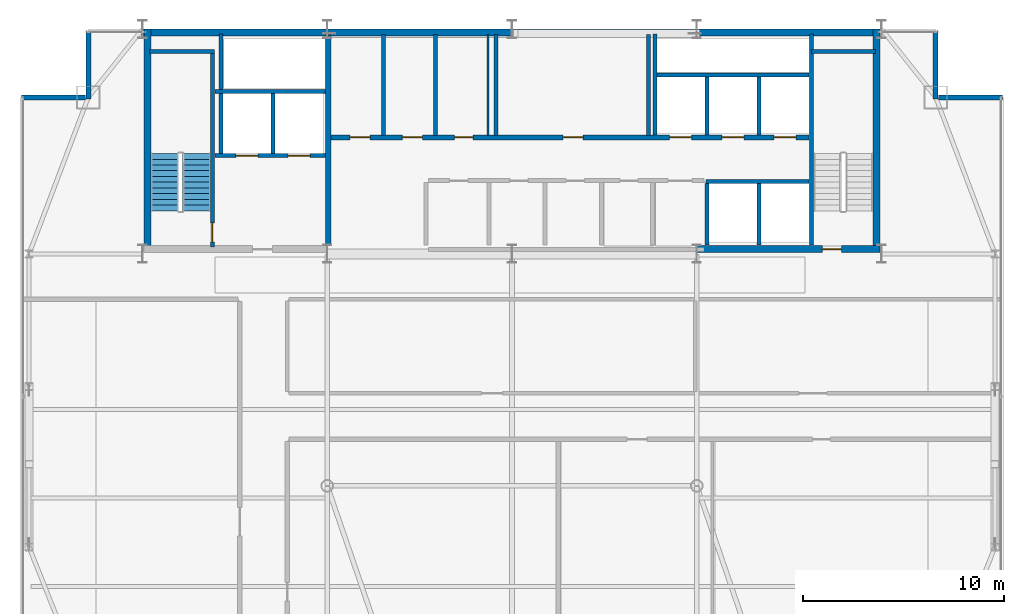
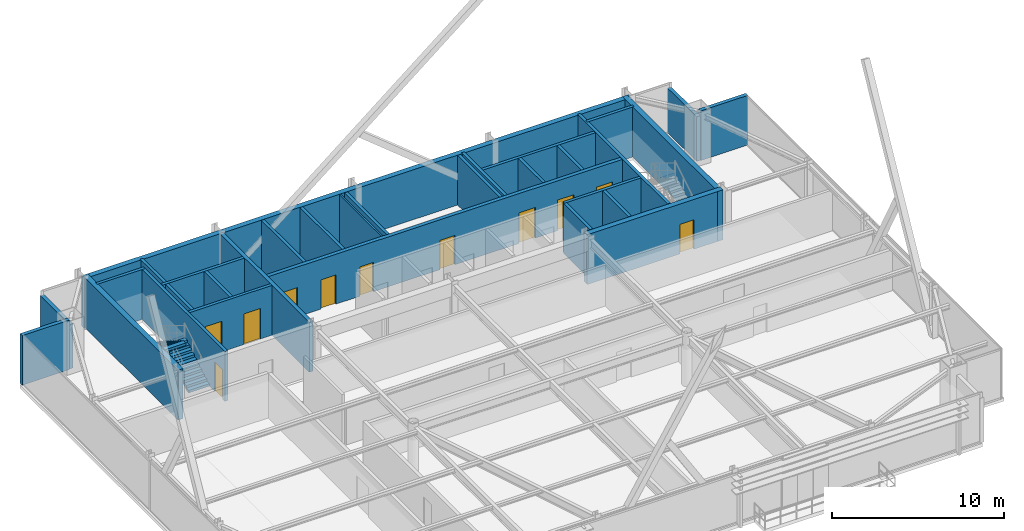
# One storey, part 28 of 31: 30 walls, 11 doors, 2 stair flights, 11 openings, 1 element without a shape of its own.
"""IFC4 building model written with IfcOpenShell, lengths in metres."""

import ifcopenshell
import ifcopenshell.guid

model = None  # the IFC model being written
_history = None  # IfcOwnerHistory: only IFC2X3 demands one
_inside = {}  # id of a spatial element -> (the spatial element, [elements in it])
_under = {}  # id of a project, library or spatial element -> (it, [spatial elements below it])
_declared = {}  # id of a project -> (the project, [libraries it declares])
_typed = {}  # id of a type object -> (the type object, [elements of that type])
_made_of = {}  # id of a material, layer set ... -> (it, [elements and type objects made of it])


def new_model(schema):
    """Start an empty IFC model of exactly this schema.

    Asked for "IFC4X3", IfcOpenShell would pick the latest addendum, in which some entities
    have other attributes; the version numbers below select the first issue.
    IFC2X3 requires an IfcOwnerHistory on every rooted entity: one is made here for all.
    """
    global model, _history
    if schema == "IFC4X3":
        model = ifcopenshell.file(schema_version=(4, 3, 0, 0))
    else:
        model = ifcopenshell.file(schema=schema)
    _inside.clear()
    _under.clear()
    _declared.clear()
    _typed.clear()
    _made_of.clear()
    _history = None
    if model.schema == "IFC2X3":
        org = make("IfcOrganization", Name="unknown")
        user = make(
            "IfcPersonAndOrganization",
            ThePerson=make("IfcPerson", FamilyName="unknown"),
            TheOrganization=org,
        )
        app = make(
            "IfcApplication",
            ApplicationDeveloper=org,
            Version="unknown",
            ApplicationFullName="unknown",
            ApplicationIdentifier="unknown",
        )
        _history = make(
            "IfcOwnerHistory",
            OwningUser=user,
            OwningApplication=app,
            ChangeAction="ADDED",
            CreationDate=0,
        )
    return model


def make(cls, **values):
    """One entity of the class cls with the attributes given. An attribute that is None is left unset."""
    return model.create_entity(
        cls, **{name: value for name, value in values.items() if value is not None}
    )


def rooted(cls, **values):
    """An entity with a GlobalId (a new one), such as an element, a storey or a relation."""
    return make(cls, GlobalId=ifcopenshell.guid.new(), OwnerHistory=_history, **values)


def si_unit(unit_type, name, prefix=None):
    """IfcSIUnit, for example si_unit("LENGTHUNIT", "METRE", prefix="MILLI")."""
    return make("IfcSIUnit", UnitType=unit_type, Prefix=prefix, Name=name)


def assignment(units):
    """IfcUnitAssignment: the units of a project."""
    return None if units is None else make("IfcUnitAssignment", Units=units)


def point(xyz):
    """IfcCartesianPoint."""
    return None if xyz is None else make("IfcCartesianPoint", Coordinates=xyz)


def direction(xyz):
    """IfcDirection."""
    return None if xyz is None else make("IfcDirection", DirectionRatios=xyz)


def frame(location, z_axis=None, x_axis=None):
    """IfcAxis2Placement3D, a coordinate frame: its origin and axes. An axis left out is left unset."""
    return make(
        "IfcAxis2Placement3D",
        Location=point(location),
        Axis=direction(z_axis),
        RefDirection=direction(x_axis),
    )


def frame_2d(location, x_axis=None):
    """IfcAxis2Placement2D, a coordinate frame in the plane: its origin and x axis."""
    return make(
        "IfcAxis2Placement2D", Location=point(location), RefDirection=direction(x_axis)
    )


def origin():
    """The frame at (0, 0, 0) with its axes left unset."""
    return frame((0.0, 0.0, 0.0))


def place(relative_to, where):
    """IfcLocalPlacement: puts the frame where relative to a parent placement (None: the world)."""
    return make(
        "IfcLocalPlacement", PlacementRelTo=relative_to, RelativePlacement=where
    )


def context(
    kind, dimensions, precision=None, world=None, true_north=None, identifier=None
):
    """IfcGeometricRepresentationContext, for example the 3D "Model" context."""
    return make(
        "IfcGeometricRepresentationContext",
        ContextIdentifier=identifier,
        ContextType=kind,
        CoordinateSpaceDimension=dimensions,
        Precision=precision,
        WorldCoordinateSystem=world,
        TrueNorth=true_north,
    )


def subcontext(parent, identifier, kind, view, scale=None):
    """IfcGeometricRepresentationSubContext, for example "Body" below "Model"."""
    return make(
        "IfcGeometricRepresentationSubContext",
        ContextIdentifier=identifier,
        ContextType=kind,
        ParentContext=parent,
        TargetScale=scale,
        TargetView=view,
    )


def project(units=None, contexts=None):
    """IfcProject with its units and contexts."""
    return rooted(
        "IfcProject",
        Name="project",
        RepresentationContexts=contexts,
        UnitsInContext=assignment(units),
    )


def spatial(cls, under=None, at=None, **own):
    """A site, building, storey or space (cls), placed at a placement, below another one or the project."""
    s = rooted(cls, ObjectPlacement=at, **own)
    if under is not None:
        _under.setdefault(under.id(), (under, []))[1].append(s)
    return s


def polyline(points):
    """IfcPolyline through the points."""
    return make("IfcPolyline", Points=[point(p) for p in points])


def profile(cls, at=None, kind="AREA", **sizes):
    """A parametric profile (cls). Its sizes go by their IFC names, for example OverallWidth=200.0."""
    return make(cls, ProfileType=kind, Position=at, **sizes)


def rectangle(**sizes):
    """IfcRectangleProfileDef."""
    return profile("IfcRectangleProfileDef", **sizes)


def outline(outer, holes=None, kind="AREA"):
    """IfcArbitraryClosedProfileDef: a profile drawn as a closed curve; with holes, ...WithVoids."""
    if holes is None:
        return make("IfcArbitraryClosedProfileDef", ProfileType=kind, OuterCurve=outer)
    return make(
        "IfcArbitraryProfileDefWithVoids",
        ProfileType=kind,
        OuterCurve=outer,
        InnerCurves=holes,
    )


def extrude(swept, where, along, depth):
    """IfcExtrudedAreaSolid: the profile swept, set in the frame where, extruded along a direction by depth."""
    return make(
        "IfcExtrudedAreaSolid",
        SweptArea=swept,
        Position=where,
        ExtrudedDirection=direction(along),
        Depth=depth,
    )


def shape(context_of_items, identifier, shape_type, items):
    """IfcShapeRepresentation: the items that make up one representation, for example the "Body"."""
    return make(
        "IfcShapeRepresentation",
        ContextOfItems=context_of_items,
        RepresentationIdentifier=identifier,
        RepresentationType=shape_type,
        Items=items,
    )


def source(mapping_origin, context_of_items, identifier, shape_type, items):
    """IfcRepresentationMap: a shape defined once, which mapped items show again and again."""
    return make(
        "IfcRepresentationMap",
        MappingOrigin=mapping_origin,
        MappedRepresentation=shape(context_of_items, identifier, shape_type, items),
    )


def transform(
    local_origin,
    x_axis=None,
    y_axis=None,
    z_axis=None,
    scale=None,
    scale2=None,
    scale3=None,
    uniform=True,
):
    """IfcCartesianTransformationOperator3D, or its non-uniform kind. x_axis, y_axis, z_axis: its Axis1, 2, 3."""
    if uniform:
        return make(
            "IfcCartesianTransformationOperator3D",
            Axis1=direction(x_axis),
            Axis2=direction(y_axis),
            LocalOrigin=point(local_origin),
            Scale=scale,
            Axis3=direction(z_axis),
        )
    return make(
        "IfcCartesianTransformationOperator3DnonUniform",
        Axis1=direction(x_axis),
        Axis2=direction(y_axis),
        LocalOrigin=point(local_origin),
        Scale=scale,
        Axis3=direction(z_axis),
        Scale2=scale2,
        Scale3=scale3,
    )


def mapped(mapping_source, mapping_target):
    """IfcMappedItem: shows the shape of a source again, moved by a transform."""
    return make(
        "IfcMappedItem", MappingSource=mapping_source, MappingTarget=mapping_target
    )


def material(Name=None, Category=None):
    """IfcMaterial."""
    return make("IfcMaterial", Name=Name, Category=Category)


def layer(
    of_material, thickness, ventilated=None, Name=None, Category=None, Priority=None
):
    """IfcMaterialLayer: one layer of a wall or slab, of a material (None: an air gap)."""
    return make(
        "IfcMaterialLayer",
        Material=of_material,
        LayerThickness=thickness,
        IsVentilated=ventilated,
        Name=Name,
        Category=Category,
        Priority=Priority,
    )


def layer_set(layers, Name=None):
    """IfcMaterialLayerSet."""
    return make("IfcMaterialLayerSet", MaterialLayers=layers, LayerSetName=Name)


def made_of(thing, what):
    """Note that an element or type object is made of a material, layer set ...; save() writes the relation."""
    if what is not None:
        _made_of.setdefault(what.id(), (what, []))[1].append(thing)
    return thing


def type_object(cls, material=None, **own):
    """A type object (cls), such as IfcWallType, which elements share."""
    return made_of(rooted(cls, **own), material)


def type_shapes(of_type, sources):
    """Give a type object the sources (RepresentationMaps) that its elements show as mapped items."""
    of_type.RepresentationMaps = sources


def element(
    cls,
    number,
    at=None,
    inside=None,
    cuts=None,
    type_object=None,
    material=None,
    context=None,
    identifier="Body",
    shape_type=None,
    held_by="IfcProductDefinitionShape",
    body=None,
    shapes=None,
    **own,
):
    """One element of the class cls, such as IfcWall. Its Tag is "e" and its number.

    at: its placement. inside: the storey or other place that contains it. cuts: it is an
    opening in that element (IfcRelVoidsElement). A single representation is given by context,
    identifier, shape_type and body (its items); several are given by shapes. held_by: the class
    of the entity that holds the representations. save() writes the other relations.
    """
    e = rooted(cls, Tag="e%d" % number, ObjectPlacement=at, **own)
    if body is not None:
        shapes = [shape(context, identifier, shape_type, body)]
    if shapes is not None:
        e.Representation = make(held_by, Representations=shapes)
    if inside is not None:
        _inside.setdefault(inside.id(), (inside, []))[1].append(e)
    if cuts is not None:
        rooted(
            "IfcRelVoidsElement", RelatingBuildingElement=cuts, RelatedOpeningElement=e
        )
    if type_object is not None:
        _typed.setdefault(type_object.id(), (type_object, []))[1].append(e)
    return made_of(e, material)


def fill(opening, filler):
    """IfcRelFillsElement: the door or window that sits in an opening."""
    return rooted(
        "IfcRelFillsElement",
        RelatingOpeningElement=opening,
        RelatedBuildingElement=filler,
    )


def aggregate(whole, parts):
    """IfcRelAggregates: a whole, such as a stair, and the parts it consists of."""
    return rooted("IfcRelAggregates", RelatingObject=whole, RelatedObjects=parts)


def save(model, path):
    """Write the relations noted so far, then the file.

    IfcRelAggregates (storeys below a building ...), IfcRelContainedInSpatialStructure (elements
    in a storey), IfcRelDefinesByType, IfcRelAssociatesMaterial and IfcRelDeclares: one each for
    every whole, place, type object, material and project.
    """
    for whole, parts in _under.values():
        aggregate(whole, parts)
    for where, things in _inside.values():
        rooted(
            "IfcRelContainedInSpatialStructure",
            RelatedElements=things,
            RelatingStructure=where,
        )
    for kind, things in _typed.values():
        rooted("IfcRelDefinesByType", RelatedObjects=things, RelatingType=kind)
    for what, things in _made_of.values():
        rooted("IfcRelAssociatesMaterial", RelatedObjects=things, RelatingMaterial=what)
    for by, libraries in _declared.values():
        rooted("IfcRelDeclares", RelatingContext=by, RelatedDefinitions=libraries)
    model.write(path)


model = new_model("IFC4")

# Units and contexts
model_context = context("Model", 3, precision=1e-05, world=origin(), true_north=direction((0.0, 1.0)))
body_context = subcontext(model_context, "Body", "Model", "MODEL_VIEW")
ifc_project = project(units=[si_unit("LENGTHUNIT", "METRE"), si_unit("AREAUNIT", "SQUARE_METRE"), si_unit("VOLUMEUNIT", "CUBIC_METRE"), si_unit("PLANEANGLEUNIT", "RADIAN"), si_unit("MASSUNIT", "GRAM", prefix="KILO")], contexts=[model_context])

# Site, building, storey
site_placement = place(None, origin())
site = spatial("IfcSite", under=ifc_project, at=site_placement, CompositionType="ELEMENT")
building_placement = place(site_placement, origin())
building = spatial("IfcBuilding", under=site, at=building_placement, Name="Varnel Quay Broadcast Tower", CompositionType="ELEMENT")
storey_placement = place(building_placement, frame((0.0, 0.0, 239.39990234375)))
storey = spatial("IfcBuildingStorey", under=building, at=storey_placement, Name="L59", CompositionType="ELEMENT", Elevation=239.39990234375)

# Wall, opening, door
ifc_material_1 = material(Name="Concrete CSA A23.3 C50/60", Category="concrete")
ifc_layer_1 = layer(ifc_material_1, 0.199951171875, Name="Concrete CSA A23.3 C50/60")
ifc_layer_set_1 = layer_set([ifc_layer_1], Name="Concrete CSA A23.3 C50/60")
wall_type_1 = type_object("IfcWallType", Name="Wall_CoreShaftShear200", PredefinedType="SHEAR", material=ifc_layer_set_1)
wall_1_placement = place(storey_placement, frame((19.080078125, 35.949951171875, 0.0), z_axis=(0.0, 0.0, 1.0), x_axis=(0.0, 1.0, 0.0)))
wall_1 = element("IfcWall", 1, at=wall_1_placement, inside=storey, type_object=wall_type_1, Name="L59 Stair 1 East Structural Wall", PredefinedType="SHEAR", context=body_context, shape_type="SweptSolid", body=[
    extrude(rectangle(XDim=9.650146484375, YDim=0.199951171875, at=frame_2d((4.8251953125, 0.0))), origin(), (0.0, 0.0, 1.0), 3.550048828125),
])
opening_1_placement = place(wall_1_placement, frame((0.25, 0.0, 0.0)))
opening_1 = element("IfcOpeningElement", 2, at=opening_1_placement, cuts=wall_1, Name="Opening D-L59-S1", PredefinedType="OPENING", context=body_context, shape_type="SweptSolid", body=[
    extrude(rectangle(XDim=0.949951171875, YDim=2.10009765625, at=frame_2d((0.47509765625, 1.050048828125))), frame((0.0, 0.10986328125, 0.0), z_axis=(0.0, -1.0, 0.0), x_axis=(1.0, 0.0, 0.0)), (0.0, 0.0, 1.0), 0.219970703125),
])
ifc_material_2 = material(Name="Insulated Fire-Rated Hollow Steel Door", Category="steel")
door_type_1 = type_object("IfcDoorType", Name="Door_FireStair950", OperationType="NOTDEFINED", PredefinedType="DOOR", material=ifc_material_2)
shared_shape_1 = source(origin(), body_context, "Body", "SweptSolid", [
    extrude(rectangle(XDim=0.949951171875, YDim=2.10009765625, at=frame_2d((0.47509765625, 1.050048828125))), frame((0.0, 0.02490234375, 0.0), z_axis=(0.0, -1.0, 0.0), x_axis=(1.0, 0.0, 0.0)), (0.0, 0.0, 1.0), 0.050048828125),
])
type_shapes(door_type_1, [shared_shape_1])
door_1_placement = place(opening_1_placement, origin())
door_1 = element("IfcDoor", 3, at=door_1_placement, inside=storey, type_object=door_type_1, Name="L59 Stair 1 Fire Door", OperationType="SINGLE_SWING_RIGHT", OverallHeight=2.10009765625, OverallWidth=0.949951171875, PredefinedType="DOOR", context=body_context, shape_type="MappedRepresentation", body=[
    mapped(shared_shape_1, transform((0.0, 0.0, 0.0), x_axis=(1.0, 0.0, 0.0), y_axis=(0.0, 1.0, 0.0), z_axis=(0.0, 0.0, 1.0), scale=1.0)),
])
fill(opening_1, door_1)

# Wall
wall_2_placement = place(storey_placement, frame((15.949951171875, 45.679931640625, 0.0), z_axis=(0.0, 0.0, 1.0), x_axis=(1.0, 0.0, 0.0)))
element("IfcWall", 4, at=wall_2_placement, inside=storey, type_object=wall_type_1, Name="L59 Stair 1 North Structural Wall", PredefinedType="SHEAR", context=body_context, shape_type="SweptSolid", body=[
    extrude(rectangle(XDim=3.22998046875, YDim=0.199951171875, at=frame_2d((1.614990234375, 0.0))), origin(), (0.0, 0.0, 1.0), 3.550048828125),
])

# Wall, openings, doors
wall_3_placement = place(storey_placement, frame((19.199951171875, 40.5, 0.0), z_axis=(0.0, 0.0, 1.0), x_axis=(1.0, 0.0, 0.0)))
wall_3 = element("IfcWall", 5, at=wall_3_placement, inside=storey, type_object=wall_type_1, Name="L59 Firefighter Lift Shaft Front Wall", PredefinedType="SHEAR", context=body_context, shape_type="SweptSolid", body=[
    extrude(rectangle(XDim=5.52001953125, YDim=0.199951171875, at=frame_2d((2.760009765625, 0.0))), origin(), (0.0, 0.0, 1.0), 3.550048828125),
])
opening_2_placement = place(wall_3_placement, frame((1.050048828125, 0.0, 0.0)))
opening_2 = element("IfcOpeningElement", 6, at=opening_2_placement, cuts=wall_3, Name="Opening LD-L59-FE1", PredefinedType="OPENING", context=body_context, shape_type="SweptSolid", body=[
    extrude(rectangle(XDim=1.10009765625, YDim=2.179931640625, at=frame_2d((0.550048828125, 1.08984375))), frame((0.0, 0.10986328125, 0.0), z_axis=(0.0, -1.0, 0.0), x_axis=(1.0, 0.0, 0.0)), (0.0, 0.0, 1.0), 0.219970703125),
])
opening_3_placement = place(wall_3_placement, frame((3.64990234375, 0.0, 0.0)))
opening_3 = element("IfcOpeningElement", 7, at=opening_3_placement, cuts=wall_3, Name="Opening LD-L59-FE2", PredefinedType="OPENING", context=body_context, shape_type="SweptSolid", body=[
    extrude(rectangle(XDim=1.10009765625, YDim=2.179931640625, at=frame_2d((0.550048828125, 1.08984375))), frame((0.0, 0.10986328125, 0.0), z_axis=(0.0, -1.0, 0.0), x_axis=(1.0, 0.0, 0.0)), (0.0, 0.0, 1.0), 0.219970703125),
])
ifc_material_3 = material(Name="Brushed Bronze-Stainless Lift Car & Sliding Doors", Category="steel")
door_type_2 = type_object("IfcDoorType", Name="Door_LiftLanding1100", OperationType="SLIDING_TO_LEFT", PredefinedType="DOOR", material=ifc_material_3)
shared_shape_2 = source(origin(), body_context, "Body", "SweptSolid", [
    extrude(rectangle(XDim=1.10009765625, YDim=2.179931640625, at=frame_2d((0.550048828125, 1.08984375))), frame((0.0, 0.02490234375, 0.0), z_axis=(0.0, -1.0, 0.0), x_axis=(1.0, 0.0, 0.0)), (0.0, 0.0, 1.0), 0.050048828125),
])
type_shapes(door_type_2, [shared_shape_2])
door_2_placement = place(opening_2_placement, frame((1.10009765625, 0.0, 0.0), z_axis=(0.0, 0.0, 1.0), x_axis=(-1.0, 0.0, 0.0)))
door_2 = element("IfcDoor", 8, at=door_2_placement, inside=storey, type_object=door_type_2, Name="L59 Firefighter Lift FE-01 Landing Door", OperationType="SLIDING_TO_LEFT", OverallHeight=2.179931640625, OverallWidth=1.10009765625, PredefinedType="DOOR", context=body_context, shape_type="MappedRepresentation", body=[
    mapped(shared_shape_2, transform((0.0, 0.0, 0.0), x_axis=(1.0, 0.0, 0.0), y_axis=(0.0, 1.0, 0.0), z_axis=(0.0, 0.0, 1.0), scale=1.0)),
])
fill(opening_2, door_2)
door_3_placement = place(opening_3_placement, frame((1.10009765625, 0.0, 0.0), z_axis=(0.0, 0.0, 1.0), x_axis=(-1.0, 0.0, 0.0)))
door_3 = element("IfcDoor", 9, at=door_3_placement, inside=storey, type_object=door_type_2, Name="L59 Firefighter Lift FE-02 Landing Door", OperationType="SLIDING_TO_RIGHT", OverallHeight=2.179931640625, OverallWidth=1.10009765625, PredefinedType="DOOR", context=body_context, shape_type="MappedRepresentation", body=[
    mapped(shared_shape_2, transform((0.0, 0.0, 0.0), x_axis=(1.0, 0.0, 0.0), y_axis=(0.0, 1.0, 0.0), z_axis=(0.0, 0.0, 1.0), scale=1.0)),
])
fill(opening_3, door_3)

# Walls
wall_4_placement = place(storey_placement, frame((19.199951171875, 43.699951171875, 0.0), z_axis=(0.0, 0.0, 1.0), x_axis=(1.0, 0.0, 0.0)))
element("IfcWall", 10, at=wall_4_placement, inside=storey, type_object=wall_type_1, Name="L59 Firefighter Lift Shaft Rear Wall", PredefinedType="SHEAR", context=body_context, shape_type="SweptSolid", body=[
    extrude(rectangle(XDim=5.52001953125, YDim=0.199951171875, at=frame_2d((2.760009765625, 0.0))), origin(), (0.0, 0.0, 1.0), 3.550048828125),
])
wall_5_placement = place(storey_placement, frame((22.10009765625, 40.60009765625, 0.0), z_axis=(0.0, 0.0, 1.0), x_axis=(0.0, 1.0, 0.0)))
element("IfcWall", 11, at=wall_5_placement, inside=storey, type_object=wall_type_1, Name="L59 Firefighter Lift Shaft Divider", PredefinedType="SHEAR", context=body_context, shape_type="SweptSolid", body=[
    extrude(rectangle(XDim=3.0, YDim=0.199951171875, at=frame_2d((1.5, 0.0))), origin(), (0.0, 0.0, 1.0), 3.550048828125),
])
wall_6_placement = place(storey_placement, frame((19.5, 40.60009765625, 0.0), z_axis=(0.0, 0.0, 1.0), x_axis=(0.0, 1.0, 0.0)))
element("IfcWall", 12, at=wall_6_placement, inside=storey, type_object=wall_type_1, Name="L59 Firefighter Lift Shaft West Wall", PredefinedType="SHEAR", context=body_context, shape_type="SweptSolid", body=[
    extrude(rectangle(XDim=5.949951171875, YDim=0.199951171875, at=frame_2d((2.97509765625, 0.0))), origin(), (0.0, 0.0, 1.0), 3.550048828125),
])
wall_7_placement = place(storey_placement, frame((48.919921875, 36.050048828125, 0.0), z_axis=(0.0, 0.0, 1.0), x_axis=(0.0, 1.0, 0.0)))
element("IfcWall", 13, at=wall_7_placement, inside=storey, type_object=wall_type_1, Name="L59 Stair 2 West Structural Wall", PredefinedType="SHEAR", context=body_context, shape_type="SweptSolid", body=[
    extrude(rectangle(XDim=10.5, YDim=0.199951171875, at=frame_2d((5.25, 0.0))), origin(), (0.0, 0.0, 1.0), 3.550048828125),
])
wall_8_placement = place(storey_placement, frame((48.919921875, 45.679931640625, 0.0), z_axis=(0.0, 0.0, 1.0), x_axis=(1.0, 0.0, 0.0)))
element("IfcWall", 14, at=wall_8_placement, inside=storey, type_object=wall_type_1, Name="L59 Stair 2 North Structural Wall", PredefinedType="SHEAR", context=body_context, shape_type="SweptSolid", body=[
    extrude(rectangle(XDim=3.18017578125, YDim=0.199951171875, at=frame_2d((1.590087890625, 0.0))), origin(), (0.0, 0.0, 1.0), 3.550048828125),
])
wall_9_placement = place(storey_placement, frame((41.219970703125, 44.5, 0.0), z_axis=(0.0, 0.0, 1.0), x_axis=(1.0, 0.0, 0.0)))
element("IfcWall", 15, at=wall_9_placement, inside=storey, type_object=wall_type_1, Name="L59 High-Rise Lift Shaft Rear Wall", PredefinedType="SHEAR", context=body_context, shape_type="SweptSolid", body=[
    extrude(rectangle(XDim=7.580078125, YDim=0.199951171875, at=frame_2d((3.7900390625, 0.0))), origin(), (0.0, 0.0, 1.0), 3.550048828125),
])
wall_10_placement = place(storey_placement, frame((41.1201171875, 41.530029296875, 0.0), z_axis=(0.0, 0.0, 1.0), x_axis=(0.0, 1.0, 0.0)))
element("IfcWall", 16, at=wall_10_placement, inside=storey, type_object=wall_type_1, Name="L59 High-Rise Lift Shaft Divider 1", PredefinedType="SHEAR", context=body_context, shape_type="SweptSolid", body=[
    extrude(rectangle(XDim=5.02001953125, YDim=0.199951171875, at=frame_2d((2.510009765625, 0.0))), origin(), (0.0, 0.0, 1.0), 3.550048828125),
])
for number, where, z_axis, x_axis, name in (
    (17, (43.699951171875, 41.530029296875, 0.0), (0.0, 0.0, 1.0), (0.0, 1.0, 0.0), "L59 High-Rise Lift Shaft Divider 2"),
    (18, (46.300048828125, 41.530029296875, 0.0), (0.0, 0.0, 1.0), (0.0, 1.0, 0.0), "L59 High-Rise Lift Shaft Divider 3"),
):
    element("IfcWall", number, at=place(storey_placement, frame(where, z_axis=z_axis, x_axis=x_axis)), inside=storey, type_object=wall_type_1, Name=name, PredefinedType="SHEAR", context=body_context, shape_type="SweptSolid", body=[
        extrude(rectangle(XDim=2.869873046875, YDim=0.199951171875, at=frame_2d((1.43505859375, 0.0))), origin(), (0.0, 0.0, 1.0), 3.550048828125),
    ])
for number, where, z_axis, x_axis, name in (
    (19, (43.699951171875, 36.050048828125, 0.0), (0.0, 0.0, 1.0), (0.0, 1.0, 0.0), "L59 Express Lift Shaft West Wall"),
    (20, (46.300048828125, 36.050048828125, 0.0), (0.0, 0.0, 1.0), (0.0, 1.0, 0.0), "L59 Express Lift Shaft Divider"),
):
    element("IfcWall", number, at=place(storey_placement, frame(where, z_axis=z_axis, x_axis=x_axis)), inside=storey, type_object=wall_type_1, Name=name, PredefinedType="SHEAR", context=body_context, shape_type="SweptSolid", body=[
        extrude(rectangle(XDim=3.050048828125, YDim=0.199951171875, at=frame_2d((1.52490234375, 0.0))), origin(), (0.0, 0.0, 1.0), 3.550048828125),
    ])
wall_11_placement = place(storey_placement, frame((43.64990234375, 39.199951171875, 0.0), z_axis=(0.0, 0.0, 1.0), x_axis=(1.0, 0.0, 0.0)))
element("IfcWall", 21, at=wall_11_placement, inside=storey, type_object=wall_type_1, Name="L59 Express Lift Shaft North Front Wall", PredefinedType="SHEAR", context=body_context, shape_type="SweptSolid", body=[
    extrude(rectangle(XDim=5.150146484375, YDim=0.199951171875, at=frame_2d((2.5751953125, 0.0))), origin(), (0.0, 0.0, 1.0), 3.550048828125),
])
ifc_layer_2 = layer(ifc_material_1, 0.25, Name="Concrete CSA A23.3 C50/60")
ifc_layer_set_2 = layer_set([ifc_layer_2], Name="Concrete CSA A23.3 C50/60")
wall_type_2 = type_object("IfcWallType", Name="Wall_CoreShaftShear250", PredefinedType="SHEAR", material=ifc_layer_set_2)
wall_12_placement = place(storey_placement, frame((24.85009765625, 36.050048828125, 0.0), z_axis=(0.0, 0.0, 1.0), x_axis=(0.0, 1.0, 0.0)))
element("IfcWall", 22, at=wall_12_placement, inside=storey, type_object=wall_type_2, Name="L59 Firefighting Lobby East Structural Wall", PredefinedType="SHEAR", context=body_context, shape_type="SweptSolid", body=[
    extrude(rectangle(XDim=10.449951171875, YDim=0.25, at=frame_2d((5.22509765625, 0.0))), origin(), (0.0, 0.0, 1.0), 3.550048828125),
])

# Wall, openings, doors
wall_13_placement = place(storey_placement, frame((24.97998046875, 41.39990234375, 0.0), z_axis=(0.0, 0.0, 1.0), x_axis=(1.0, 0.0, 0.0)))
wall_13 = element("IfcWall", 23, at=wall_13_placement, inside=storey, type_object=wall_type_2, Name="L59 North Lift Bank & Reclaimed Suite Wall", PredefinedType="SHEAR", context=body_context, shape_type="SweptSolid", body=[
    extrude(rectangle(XDim=23.820068359375, YDim=0.25, at=frame_2d((11.91015625, 0.0))), origin(), (0.0, 0.0, 1.0), 3.550048828125),
])
opening_4_placement = place(wall_13_placement, frame((16.8701171875, 0.0, 0.0)))
opening_4 = element("IfcOpeningElement", 24, at=opening_4_placement, cuts=wall_13, Name="Opening LD-L59-PH-01", PredefinedType="OPENING", context=body_context, shape_type="SweptSolid", body=[
    extrude(rectangle(XDim=1.10009765625, YDim=2.179931640625, at=frame_2d((0.550048828125, 1.08984375))), frame((0.0, 0.135009765625, 0.0), z_axis=(0.0, -1.0, 0.0), x_axis=(1.0, 0.0, 0.0)), (0.0, 0.0, 1.0), 0.27001953125),
])
opening_5_placement = place(wall_13_placement, frame((19.469970703125, 0.0, 0.0)))
opening_5 = element("IfcOpeningElement", 25, at=opening_5_placement, cuts=wall_13, Name="Opening LD-L59-PH-02", PredefinedType="OPENING", context=body_context, shape_type="SweptSolid", body=[
    extrude(rectangle(XDim=1.10009765625, YDim=2.179931640625, at=frame_2d((0.550048828125, 1.08984375))), frame((0.0, 0.135009765625, 0.0), z_axis=(0.0, -1.0, 0.0), x_axis=(1.0, 0.0, 0.0)), (0.0, 0.0, 1.0), 0.27001953125),
])
opening_6_placement = place(wall_13_placement, frame((22.070068359375, 0.0, 0.0)))
opening_6 = element("IfcOpeningElement", 26, at=opening_6_placement, cuts=wall_13, Name="Opening LD-L59-PH-03", PredefinedType="OPENING", context=body_context, shape_type="SweptSolid", body=[
    extrude(rectangle(XDim=1.10009765625, YDim=2.179931640625, at=frame_2d((0.550048828125, 1.08984375))), frame((0.0, 0.135009765625, 0.0), z_axis=(0.0, -1.0, 0.0), x_axis=(1.0, 0.0, 0.0)), (0.0, 0.0, 1.0), 0.27001953125),
])
opening_7_placement = place(wall_13_placement, frame((0.9599609375, 0.0, 0.0)))
opening_7 = element("IfcOpeningElement", 27, at=opening_7_placement, cuts=wall_13, Name="Opening D-L59-RECA1", PredefinedType="OPENING", context=body_context, shape_type="SweptSolid", body=[
    extrude(rectangle(XDim=1.0, YDim=2.080078125, at=frame_2d((0.5, 1.0400390625))), frame((0.0, 0.135009765625, 0.0), z_axis=(0.0, -1.0, 0.0), x_axis=(1.0, 0.0, 0.0)), (0.0, 0.0, 1.0), 0.27001953125),
])
opening_8_placement = place(wall_13_placement, frame((3.56005859375, 0.0, 0.0)))
opening_8 = element("IfcOpeningElement", 28, at=opening_8_placement, cuts=wall_13, Name="Opening D-L59-RECA2", PredefinedType="OPENING", context=body_context, shape_type="SweptSolid", body=[
    extrude(rectangle(XDim=1.0, YDim=2.080078125, at=frame_2d((0.5, 1.0400390625))), frame((0.0, 0.135009765625, 0.0), z_axis=(0.0, -1.0, 0.0), x_axis=(1.0, 0.0, 0.0)), (0.0, 0.0, 1.0), 0.27001953125),
])
opening_9_placement = place(wall_13_placement, frame((6.159912109375, 0.0, 0.0)))
opening_9 = element("IfcOpeningElement", 29, at=opening_9_placement, cuts=wall_13, Name="Opening D-L59-RECA3", PredefinedType="OPENING", context=body_context, shape_type="SweptSolid", body=[
    extrude(rectangle(XDim=0.919921875, YDim=2.080078125, at=frame_2d((0.4599609375, 1.0400390625))), frame((0.0, 0.135009765625, 0.0), z_axis=(0.0, -1.0, 0.0), x_axis=(1.0, 0.0, 0.0)), (0.0, 0.0, 1.0), 0.27001953125),
])
opening_10_placement = place(wall_13_placement, frame((11.56005859375, 0.0, 0.0)))
opening_10 = element("IfcOpeningElement", 30, at=opening_10_placement, cuts=wall_13, Name="Opening D-L59-RECB1", PredefinedType="OPENING", context=body_context, shape_type="SweptSolid", body=[
    extrude(rectangle(XDim=1.0, YDim=2.080078125, at=frame_2d((0.5, 1.0400390625))), frame((0.0, 0.135009765625, 0.0), z_axis=(0.0, -1.0, 0.0), x_axis=(1.0, 0.0, 0.0)), (0.0, 0.0, 1.0), 0.27001953125),
])
door_4_placement = place(opening_4_placement, frame((1.10009765625, 0.0, 0.0), z_axis=(0.0, 0.0, 1.0), x_axis=(-1.0, 0.0, 0.0)))
door_4 = element("IfcDoor", 31, at=door_4_placement, inside=storey, type_object=door_type_2, Name="L59 Lift PH-01 Landing Door", OperationType="SLIDING_TO_LEFT", OverallHeight=2.179931640625, OverallWidth=1.10009765625, PredefinedType="DOOR", context=body_context, shape_type="MappedRepresentation", body=[
    mapped(shared_shape_2, transform((0.0, 0.0, 0.0), x_axis=(1.0, 0.0, 0.0), y_axis=(0.0, 1.0, 0.0), z_axis=(0.0, 0.0, 1.0), scale=1.0)),
])
fill(opening_4, door_4)
door_5_placement = place(opening_5_placement, frame((1.10009765625, 0.0, 0.0), z_axis=(0.0, 0.0, 1.0), x_axis=(-1.0, 0.0, 0.0)))
door_5 = element("IfcDoor", 32, at=door_5_placement, inside=storey, type_object=door_type_2, Name="L59 Lift PH-02 Landing Door", OperationType="SLIDING_TO_LEFT", OverallHeight=2.179931640625, OverallWidth=1.10009765625, PredefinedType="DOOR", context=body_context, shape_type="MappedRepresentation", body=[
    mapped(shared_shape_2, transform((0.0, 0.0, 0.0), x_axis=(1.0, 0.0, 0.0), y_axis=(0.0, 1.0, 0.0), z_axis=(0.0, 0.0, 1.0), scale=1.0)),
])
fill(opening_5, door_5)
door_6_placement = place(opening_6_placement, frame((1.10009765625, 0.0, 0.0), z_axis=(0.0, 0.0, 1.0), x_axis=(-1.0, 0.0, 0.0)))
door_6 = element("IfcDoor", 33, at=door_6_placement, inside=storey, type_object=door_type_2, Name="L59 Lift PH-03 Landing Door", OperationType="SLIDING_TO_LEFT", OverallHeight=2.179931640625, OverallWidth=1.10009765625, PredefinedType="DOOR", context=body_context, shape_type="MappedRepresentation", body=[
    mapped(shared_shape_2, transform((0.0, 0.0, 0.0), x_axis=(1.0, 0.0, 0.0), y_axis=(0.0, 1.0, 0.0), z_axis=(0.0, 0.0, 1.0), scale=1.0)),
])
fill(opening_6, door_6)
door_type_3 = type_object("IfcDoorType", Name="Door_FireLobby1000", OperationType="NOTDEFINED", PredefinedType="DOOR", material=ifc_material_2)
shared_shape_3 = source(origin(), body_context, "Body", "SweptSolid", [
    extrude(rectangle(XDim=1.0, YDim=2.080078125, at=frame_2d((0.5, 1.0400390625))), frame((0.0, 0.02490234375, 0.0), z_axis=(0.0, -1.0, 0.0), x_axis=(1.0, 0.0, 0.0)), (0.0, 0.0, 1.0), 0.050048828125),
])
type_shapes(door_type_3, [shared_shape_3])
door_7_placement = place(opening_7_placement, origin())
door_7 = element("IfcDoor", 34, at=door_7_placement, inside=storey, type_object=door_type_3, Name="L59 Ingest Rack Bay A Door", OperationType="SINGLE_SWING_LEFT", OverallHeight=2.080078125, OverallWidth=1.0, PredefinedType="DOOR", context=body_context, shape_type="MappedRepresentation", body=[
    mapped(shared_shape_3, transform((0.0, 0.0, 0.0), x_axis=(1.0, 0.0, 0.0), y_axis=(0.0, 1.0, 0.0), z_axis=(0.0, 0.0, 1.0), scale=1.0)),
])
fill(opening_7, door_7)
door_8_placement = place(opening_8_placement, origin())
door_8 = element("IfcDoor", 35, at=door_8_placement, inside=storey, type_object=door_type_3, Name="L59 Fiber Patch Bay Door", OperationType="SINGLE_SWING_RIGHT", OverallHeight=2.080078125, OverallWidth=1.0, PredefinedType="DOOR", context=body_context, shape_type="MappedRepresentation", body=[
    mapped(shared_shape_3, transform((0.0, 0.0, 0.0), x_axis=(1.0, 0.0, 0.0), y_axis=(0.0, 1.0, 0.0), z_axis=(0.0, 0.0, 1.0), scale=1.0)),
])
fill(opening_8, door_8)
door_9_placement = place(opening_10_placement, origin())
door_9 = element("IfcDoor", 36, at=door_9_placement, inside=storey, type_object=door_type_3, Name="L59 High-Zone Broadcast Rack Hall Door", OperationType="SINGLE_SWING_RIGHT", OverallHeight=2.080078125, OverallWidth=1.0, PredefinedType="DOOR", context=body_context, shape_type="MappedRepresentation", body=[
    mapped(shared_shape_3, transform((0.0, 0.0, 0.0), x_axis=(1.0, 0.0, 0.0), y_axis=(0.0, 1.0, 0.0), z_axis=(0.0, 0.0, 1.0), scale=1.0)),
])
fill(opening_10, door_9)
ifc_material_4 = material(Name="Solid-Core Fire-Rated Acoustic Oak Veneer Door", Category="wood")
door_type_4 = type_object("IfcDoorType", Name="Door_Office920", OperationType="NOTDEFINED", PredefinedType="DOOR", material=ifc_material_4)
shared_shape_4 = source(origin(), body_context, "Body", "SweptSolid", [
    extrude(rectangle(XDim=0.919921875, YDim=2.080078125, at=frame_2d((0.4599609375, 1.0400390625))), frame((0.0, 0.02490234375, 0.0), z_axis=(0.0, -1.0, 0.0), x_axis=(1.0, 0.0, 0.0)), (0.0, 0.0, 1.0), 0.050048828125),
])
type_shapes(door_type_4, [shared_shape_4])
door_10_placement = place(opening_9_placement, origin())
door_10 = element("IfcDoor", 37, at=door_10_placement, inside=storey, type_object=door_type_4, Name="L59 Telemetry Store Door", OperationType="SINGLE_SWING_LEFT", OverallHeight=2.080078125, OverallWidth=0.919921875, PredefinedType="DOOR", context=body_context, shape_type="MappedRepresentation", body=[
    mapped(shared_shape_4, transform((0.0, 0.0, 0.0), x_axis=(1.0, 0.0, 0.0), y_axis=(0.0, 1.0, 0.0), z_axis=(0.0, 0.0, 1.0), scale=1.0)),
])
fill(opening_9, door_10)

# Walls
ifc_layer_3 = layer(ifc_material_1, 0.35009765625, Name="Concrete CSA A23.3 C50/60")
ifc_layer_set_3 = layer_set([ifc_layer_3], Name="Concrete CSA A23.3 C50/60")
wall_type_3 = type_object("IfcWallType", Name="Wall_CoreShearExt350", PredefinedType="SHEAR", material=ifc_layer_set_3)
wall_14_placement = place(storey_placement, frame((15.60009765625, 46.625, 0.0), z_axis=(0.0, 0.0, 1.0), x_axis=(1.0, 0.0, 0.0)))
element("IfcWall", 38, at=wall_14_placement, inside=storey, type_object=wall_type_3, Name="L59 North Core Shear Wall", PredefinedType="SHEAR", context=body_context, shape_type="SweptSolid", body=[
    extrude(rectangle(XDim=36.7998046875, YDim=0.35009765625, at=frame_2d((18.39990234375, 0.0))), origin(), (0.0, 0.0, 1.0), 3.550048828125),
])
ifc_layer_4 = layer(ifc_material_1, 0.35009765625, Name="Concrete CSA A23.3 C50/60")
ifc_layer_set_4 = layer_set([ifc_layer_4], Name="Concrete CSA A23.3 C50/60")
wall_type_4 = type_object("IfcWallType", Name="Wall_CoreShearInt350", PredefinedType="SHEAR", material=ifc_layer_set_4)
for number, where, z_axis, x_axis, name in (
    (39, (15.844970703125, 35.669921875, 0.0), (0.0, 0.0, 1.0), (0.0, 1.0, 0.0), "L59 West Core Shear Wall"),
    (40, (52.155029296875, 35.669921875, 0.0), (0.0, 0.0, 1.0), (0.0, 1.0, 0.0), "L59 East Core Shear Wall"),
):
    element("IfcWall", number, at=place(storey_placement, frame(where, z_axis=z_axis, x_axis=x_axis)), inside=storey, type_object=wall_type_4, Name=name, PredefinedType="SHEAR", context=body_context, shape_type="SweptSolid", body=[
        extrude(rectangle(XDim=11.130126953125, YDim=0.35009765625, at=frame_2d((5.56494140625, 0.0))), origin(), (0.0, 0.0, 1.0), 3.550048828125),
    ])

# Wall, opening, door
wall_15_placement = place(storey_placement, frame((43.199951171875, 35.844970703125, 0.0), z_axis=(0.0, 0.0, 1.0), x_axis=(1.0, 0.0, 0.0)))
wall_15 = element("IfcWall", 41, at=wall_15_placement, inside=storey, type_object=wall_type_4, Name="L59 South-East Core Shear Wall", PredefinedType="SHEAR", context=body_context, shape_type="SweptSolid", body=[
    extrude(rectangle(XDim=9.130126953125, YDim=0.35009765625, at=frame_2d((4.56494140625, 0.0))), origin(), (0.0, 0.0, 1.0), 3.550048828125),
])
opening_11_placement = place(wall_15_placement, frame((6.25, 0.0, 0.0)))
opening_11 = element("IfcOpeningElement", 42, at=opening_11_placement, cuts=wall_15, Name="Opening D-L59-S2", PredefinedType="OPENING", context=body_context, shape_type="SweptSolid", body=[
    extrude(rectangle(XDim=0.949951171875, YDim=2.10009765625, at=frame_2d((0.47509765625, 1.050048828125))), frame((0.0, 0.18505859375, 0.0), z_axis=(0.0, -1.0, 0.0), x_axis=(1.0, 0.0, 0.0)), (0.0, 0.0, 1.0), 0.3701171875),
])
door_11_placement = place(opening_11_placement, origin())
door_11 = element("IfcDoor", 43, at=door_11_placement, inside=storey, type_object=door_type_1, Name="L59 Stair 2 Fire Door", OperationType="SINGLE_SWING_RIGHT", OverallHeight=2.10009765625, OverallWidth=0.949951171875, PredefinedType="DOOR", context=body_context, shape_type="MappedRepresentation", body=[
    mapped(shared_shape_1, transform((0.0, 0.0, 0.0), x_axis=(1.0, 0.0, 0.0), y_axis=(0.0, 1.0, 0.0), z_axis=(0.0, 0.0, 1.0), scale=1.0)),
])
fill(opening_11, door_11)

# Walls
ifc_material_5 = material(Name="Precast Architectural Concrete C40/50", Category="concrete")
ifc_layer_5 = layer(ifc_material_5, 0.25, Name="Precast Architectural Concrete C40/50")
ifc_layer_set_5 = layer_set([ifc_layer_5], Name="Precast Architectural Concrete C40/50")
wall_type_5 = type_object("IfcWallType", Name="Wall_ExtTerrace250", PredefinedType="SOLIDWALL", material=ifc_layer_set_5)
wall_16_placement = place(storey_placement, frame((9.580078125, 43.39990234375, 0.0), z_axis=(0.0, 0.0, 1.0), x_axis=(1.0, 0.0, 0.0)))
element("IfcWall", 44, at=wall_16_placement, inside=storey, type_object=wall_type_5, Name="L59 Mega-Column Notch Cladding Wall NNW1", PredefinedType="SOLIDWALL", context=body_context, shape_type="SweptSolid", body=[
    extrude(rectangle(XDim=3.18994140625, YDim=0.25, at=frame_2d((1.594970703125, 0.0))), origin(), (0.0, 0.0, 1.0), 3.530029296875),
])
wall_17_placement = place(storey_placement, frame((12.89990234375, 43.320068359375, 0.0), z_axis=(0.0, 0.0, 1.0), x_axis=(0.0, 1.0, 0.0)))
element("IfcWall", 45, at=wall_17_placement, inside=storey, type_object=wall_type_5, Name="L59 Mega-Column Notch Cladding Wall NNW2", PredefinedType="SOLIDWALL", context=body_context, shape_type="SweptSolid", body=[
    extrude(rectangle(XDim=3.39990234375, YDim=0.25, at=frame_2d((1.699951171875, 0.0))), origin(), (0.0, 0.0, 1.0), 3.171142578125),
])
wall_18_placement = place(storey_placement, frame((55.22998046875, 43.39990234375, 0.0), z_axis=(0.0, 0.0, 1.0), x_axis=(1.0, 0.0, 0.0)))
element("IfcWall", 46, at=wall_18_placement, inside=storey, type_object=wall_type_5, Name="L59 Mega-Column Notch Cladding Wall NNE1", PredefinedType="SOLIDWALL", context=body_context, shape_type="SweptSolid", body=[
    extrude(rectangle(XDim=3.18994140625, YDim=0.25, at=frame_2d((1.594970703125, 0.0))), origin(), (0.0, 0.0, 1.0), 3.530029296875),
])
wall_19_placement = place(storey_placement, frame((55.10009765625, 43.320068359375, 0.0), z_axis=(0.0, 0.0, 1.0), x_axis=(0.0, 1.0, 0.0)))
element("IfcWall", 47, at=wall_19_placement, inside=storey, type_object=wall_type_5, Name="L59 Mega-Column Notch Cladding Wall NNE2", PredefinedType="SOLIDWALL", context=body_context, shape_type="SweptSolid", body=[
    extrude(rectangle(XDim=3.39990234375, YDim=0.25, at=frame_2d((1.699951171875, 0.0))), origin(), (0.0, 0.0, 1.0), 3.171142578125),
])
ifc_material_6 = material(Name="Concrete Blockwork Fire Enclosure C40/50", Category="masonry")
ifc_layer_6 = layer(ifc_material_6, 0.199951171875, Name="Concrete Blockwork Fire Enclosure C40/50")
ifc_layer_set_6 = layer_set([ifc_layer_6], Name="Concrete Blockwork Fire Enclosure C40/50")
wall_type_6 = type_object("IfcWallType", Name="Wall_FireShaft200", PredefinedType="SOLIDWALL", material=ifc_layer_set_6)
for number, where, z_axis, x_axis, name in (
    (48, (27.60009765625, 41.5, 0.0), (0.0, 0.0, 1.0), (0.0, 1.0, 0.0), "L59 Ingest Rack Bay A Partition 18"),
    (49, (30.199951171875, 41.5, 0.0), (0.0, 0.0, 1.0), (0.0, 1.0, 0.0), "L59 Fiber Patch Bay Partition 19"),
    (50, (40.800048828125, 41.5, 0.0), (0.0, 0.0, 1.0), (0.0, 1.0, 0.0), "L59 High-Zone Broadcast Rack Hall Partition 21"),
    (51, (33.199951171875, 41.5, 0.0), (0.0, 0.0, 1.0), (0.0, 1.0, 0.0), "L59 High-Zone Broadcast Rack Hall Partition 22"),
):
    element("IfcWall", number, at=place(storey_placement, frame(where, z_axis=z_axis, x_axis=x_axis)), inside=storey, type_object=wall_type_6, Name=name, PredefinedType="SOLIDWALL", context=body_context, shape_type="SweptSolid", body=[
        extrude(rectangle(XDim=5.02001953125, YDim=0.199951171875, at=frame_2d((2.510009765625, 0.0))), origin(), (0.0, 0.0, 1.0), 3.530029296875),
    ])
ifc_material_7 = material(Name="Steel-Stud Fire-Rated Acoustic Gypsum Partition Assembly", Category="steel")
ifc_layer_7 = layer(ifc_material_7, 0.10498046875, Name="Steel-Stud Fire-Rated Acoustic Gypsum Partition Assembly")
ifc_layer_set_7 = layer_set([ifc_layer_7], Name="Steel-Stud Fire-Rated Acoustic Gypsum Partition Assembly")
wall_type_7 = type_object("IfcWallType", Name="Wall_Partition105", PredefinedType="PARTITIONING", material=ifc_layer_set_7)
wall_20_placement = place(storey_placement, frame((32.800048828125, 41.5, 0.0), z_axis=(0.0, 0.0, 1.0), x_axis=(0.0, 1.0, 0.0)))
element("IfcWall", 52, at=wall_20_placement, inside=storey, type_object=wall_type_7, Name="L59 Telemetry Store Partition 20", PredefinedType="PARTITIONING", context=body_context, shape_type="SweptSolid", body=[
    extrude(rectangle(XDim=5.02001953125, YDim=0.10498046875, at=frame_2d((2.510009765625, 0.0))), origin(), (0.0, 0.0, 1.0), 3.530029296875),
])

# Stair, stair flights
ifc_material_8 = material(Name="Precast Structural Concrete C40/50", Category="concrete")
stair_type = type_object("IfcStairType", Name="Stair_ST-01", PredefinedType="HALF_TURN_STAIR", material=ifc_material_8)
stair_placement = place(storey_placement, origin())
stair = element("IfcStair", 53, at=stair_placement, inside=storey, type_object=stair_type, Name="L59 West Core Exit Stair 1", PredefinedType="HALF_TURN_STAIR")
stair_flight_type = type_object("IfcStairFlightType", Name="Flight_ST-01", PredefinedType="STRAIGHT", material=ifc_material_8)
stair_flight_1_placement = place(storey_placement, frame((18.300048828125, 37.75, 0.0), z_axis=(0.0, 0.0, 1.0), x_axis=(0.0, 1.0, 0.0)))
stair_flight_1 = element("IfcStairFlight", 54, at=stair_flight_1_placement, type_object=stair_flight_type, Name="ST-01 flight 1", NumberOfRisers=11, NumberOfTreads=10, PredefinedType="STRAIGHT", RiserHeight=0.172727273, TreadLength=0.285, context=body_context, shape_type="SweptSolid", body=[
    extrude(outline(polyline([(0.0, 0.0), (0.0, 0.172607421875), (0.284912109375, 0.172607421875), (0.284912109375, 0.345458984375), (0.570068359375, 0.345458984375), (0.570068359375, 0.51806640625), (0.85498046875, 0.51806640625), (0.85498046875, 0.69091796875), (1.139892578125, 0.69091796875), (1.139892578125, 0.863525390625), (1.425048828125, 0.863525390625), (1.425048828125, 1.036376953125), (1.7099609375, 1.036376953125), (1.7099609375, 1.208984375), (1.9951171875, 1.208984375), (1.9951171875, 1.3818359375), (2.280029296875, 1.3818359375), (2.280029296875, 1.554443359375), (2.56494140625, 1.554443359375), (2.56494140625, 1.727294921875), (2.85009765625, 1.727294921875), (2.85009765625, 1.89990234375), (2.85009765625, 1.552001953125), (0.289306640625, 0.0), (0.0, 0.0)])), frame((0.0, 0.699951171875, 0.0), z_axis=(0.0, -1.0, 0.0), x_axis=(1.0, 0.0, 0.0)), (0.0, 0.0, 1.0), 1.39990234375),
])
stair_flight_2_placement = place(storey_placement, frame((16.699951171875, 40.60009765625, 1.900146484375), z_axis=(0.0, 0.0, 1.0), x_axis=(0.0, -1.0, 0.0)))
stair_flight_2 = element("IfcStairFlight", 55, at=stair_flight_2_placement, type_object=stair_flight_type, Name="ST-01 flight 2", NumberOfRisers=11, NumberOfTreads=10, PredefinedType="STRAIGHT", RiserHeight=0.172727273, TreadLength=0.285, context=body_context, shape_type="SweptSolid", body=[
    extrude(outline(polyline([(0.0, 0.0), (0.0, 0.172607421875), (0.284912109375, 0.172607421875), (0.284912109375, 0.345458984375), (0.570068359375, 0.345458984375), (0.570068359375, 0.51806640625), (0.85498046875, 0.51806640625), (0.85498046875, 0.69091796875), (1.139892578125, 0.69091796875), (1.139892578125, 0.863525390625), (1.425048828125, 0.863525390625), (1.425048828125, 1.036376953125), (1.7099609375, 1.036376953125), (1.7099609375, 1.208984375), (1.9951171875, 1.208984375), (1.9951171875, 1.3818359375), (2.280029296875, 1.3818359375), (2.280029296875, 1.554443359375), (2.56494140625, 1.554443359375), (2.56494140625, 1.727294921875), (2.85009765625, 1.727294921875), (2.85009765625, 1.89990234375), (2.85009765625, 1.552001953125), (0.289306640625, 0.0), (0.0, 0.0)])), frame((0.0, 0.699951171875, 0.0), z_axis=(0.0, -1.0, 0.0), x_axis=(1.0, 0.0, 0.0)), (0.0, 0.0, 1.0), 1.39990234375),
])
aggregate(stair, [stair_flight_1, stair_flight_2])

save(model, "model.ifc")
